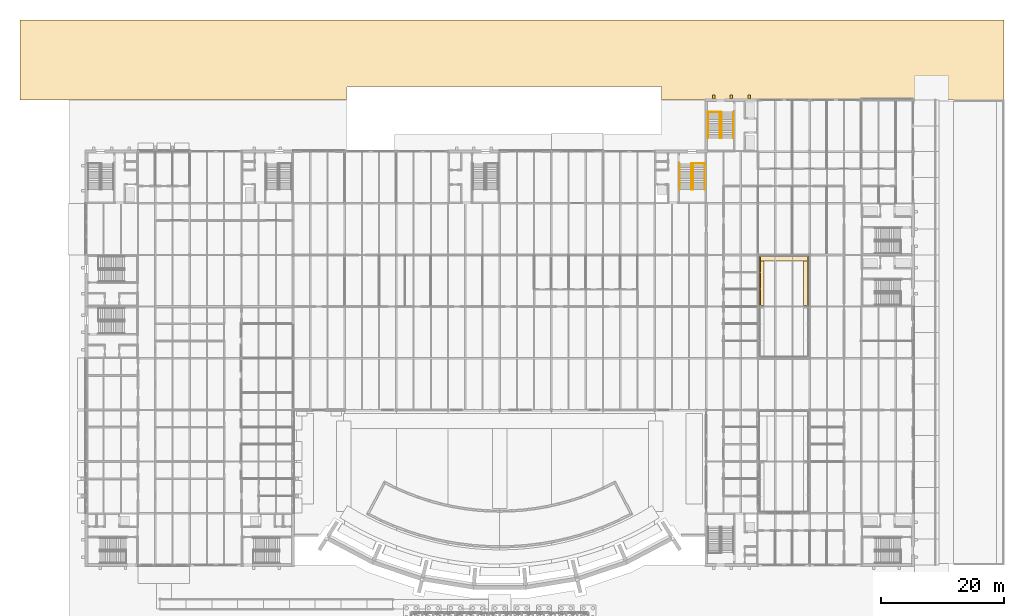
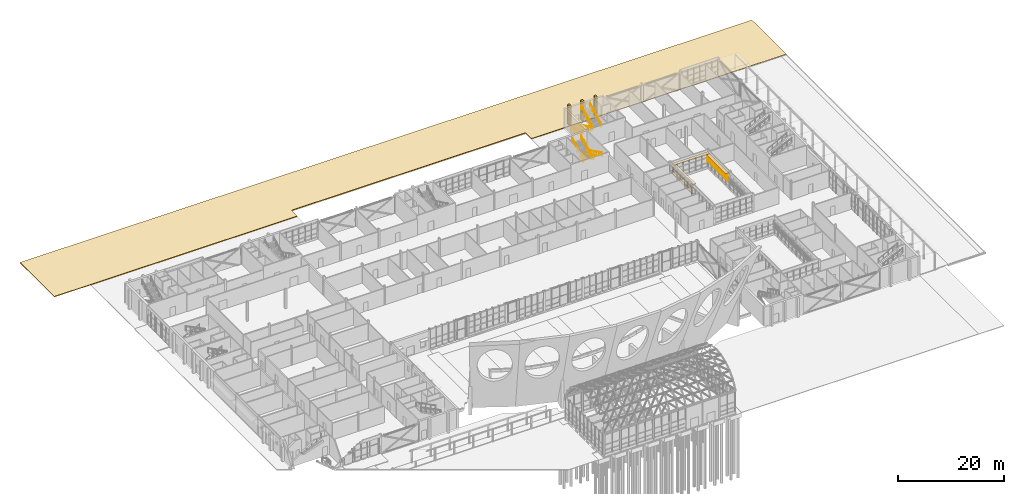
# One storey, part 114 of 116: 13 coverings, 10 railings.
"""IFC4 building model written with IfcOpenShell, lengths in metres."""

import ifcopenshell
import ifcopenshell.guid

model = None  # the IFC model being written
_history = None  # IfcOwnerHistory: only IFC2X3 demands one
_inside = {}  # id of a spatial element -> (the spatial element, [elements in it])
_under = {}  # id of a project, library or spatial element -> (it, [spatial elements below it])
_declared = {}  # id of a project -> (the project, [libraries it declares])
_typed = {}  # id of a type object -> (the type object, [elements of that type])
_made_of = {}  # id of a material, layer set ... -> (it, [elements and type objects made of it])


def new_model(schema):
    """Start an empty IFC model of exactly this schema.

    Asked for "IFC4X3", IfcOpenShell would pick the latest addendum, in which some entities
    have other attributes; the version numbers below select the first issue.
    IFC2X3 requires an IfcOwnerHistory on every rooted entity: one is made here for all.
    """
    global model, _history
    if schema == "IFC4X3":
        model = ifcopenshell.file(schema_version=(4, 3, 0, 0))
    else:
        model = ifcopenshell.file(schema=schema)
    _inside.clear()
    _under.clear()
    _declared.clear()
    _typed.clear()
    _made_of.clear()
    _history = None
    if model.schema == "IFC2X3":
        org = make("IfcOrganization", Name="unknown")
        user = make(
            "IfcPersonAndOrganization",
            ThePerson=make("IfcPerson", FamilyName="unknown"),
            TheOrganization=org,
        )
        app = make(
            "IfcApplication",
            ApplicationDeveloper=org,
            Version="unknown",
            ApplicationFullName="unknown",
            ApplicationIdentifier="unknown",
        )
        _history = make(
            "IfcOwnerHistory",
            OwningUser=user,
            OwningApplication=app,
            ChangeAction="ADDED",
            CreationDate=0,
        )
    return model


def make(cls, **values):
    """One entity of the class cls with the attributes given. An attribute that is None is left unset."""
    return model.create_entity(
        cls, **{name: value for name, value in values.items() if value is not None}
    )


def rooted(cls, **values):
    """An entity with a GlobalId (a new one), such as an element, a storey or a relation."""
    return make(cls, GlobalId=ifcopenshell.guid.new(), OwnerHistory=_history, **values)


def si_unit(unit_type, name, prefix=None):
    """IfcSIUnit, for example si_unit("LENGTHUNIT", "METRE", prefix="MILLI")."""
    return make("IfcSIUnit", UnitType=unit_type, Prefix=prefix, Name=name)


def assignment(units):
    """IfcUnitAssignment: the units of a project."""
    return None if units is None else make("IfcUnitAssignment", Units=units)


def point(xyz):
    """IfcCartesianPoint."""
    return None if xyz is None else make("IfcCartesianPoint", Coordinates=xyz)


def direction(xyz):
    """IfcDirection."""
    return None if xyz is None else make("IfcDirection", DirectionRatios=xyz)


def frame(location, z_axis=None, x_axis=None):
    """IfcAxis2Placement3D, a coordinate frame: its origin and axes. An axis left out is left unset."""
    return make(
        "IfcAxis2Placement3D",
        Location=point(location),
        Axis=direction(z_axis),
        RefDirection=direction(x_axis),
    )


def frame_2d(location, x_axis=None):
    """IfcAxis2Placement2D, a coordinate frame in the plane: its origin and x axis."""
    return make(
        "IfcAxis2Placement2D", Location=point(location), RefDirection=direction(x_axis)
    )


def origin():
    """The frame at (0, 0, 0) with its axes left unset."""
    return frame((0.0, 0.0, 0.0))


def origin_2d():
    """The frame at (0, 0) in the plane with its x axis left unset."""
    return frame_2d((0.0, 0.0))


def place(relative_to, where):
    """IfcLocalPlacement: puts the frame where relative to a parent placement (None: the world)."""
    return make(
        "IfcLocalPlacement", PlacementRelTo=relative_to, RelativePlacement=where
    )


def context(
    kind, dimensions, precision=None, world=None, true_north=None, identifier=None
):
    """IfcGeometricRepresentationContext, for example the 3D "Model" context."""
    return make(
        "IfcGeometricRepresentationContext",
        ContextIdentifier=identifier,
        ContextType=kind,
        CoordinateSpaceDimension=dimensions,
        Precision=precision,
        WorldCoordinateSystem=world,
        TrueNorth=true_north,
    )


def subcontext(parent, identifier, kind, view, scale=None):
    """IfcGeometricRepresentationSubContext, for example "Body" below "Model"."""
    return make(
        "IfcGeometricRepresentationSubContext",
        ContextIdentifier=identifier,
        ContextType=kind,
        ParentContext=parent,
        TargetScale=scale,
        TargetView=view,
    )


def project(units=None, contexts=None):
    """IfcProject with its units and contexts."""
    return rooted(
        "IfcProject",
        Name="project",
        RepresentationContexts=contexts,
        UnitsInContext=assignment(units),
    )


def spatial(cls, under=None, at=None, **own):
    """A site, building, storey or space (cls), placed at a placement, below another one or the project."""
    s = rooted(cls, ObjectPlacement=at, **own)
    if under is not None:
        _under.setdefault(under.id(), (under, []))[1].append(s)
    return s


def polyline(points):
    """IfcPolyline through the points."""
    return make("IfcPolyline", Points=[point(p) for p in points])


def profile(cls, at=None, kind="AREA", **sizes):
    """A parametric profile (cls). Its sizes go by their IFC names, for example OverallWidth=200.0."""
    return make(cls, ProfileType=kind, Position=at, **sizes)


def rectangle(**sizes):
    """IfcRectangleProfileDef."""
    return profile("IfcRectangleProfileDef", **sizes)


def circle(**sizes):
    """IfcCircleProfileDef."""
    return profile("IfcCircleProfileDef", **sizes)


def outline(outer, holes=None, kind="AREA"):
    """IfcArbitraryClosedProfileDef: a profile drawn as a closed curve; with holes, ...WithVoids."""
    if holes is None:
        return make("IfcArbitraryClosedProfileDef", ProfileType=kind, OuterCurve=outer)
    return make(
        "IfcArbitraryProfileDefWithVoids",
        ProfileType=kind,
        OuterCurve=outer,
        InnerCurves=holes,
    )


def extrude(swept, where, along, depth):
    """IfcExtrudedAreaSolid: the profile swept, set in the frame where, extruded along a direction by depth."""
    return make(
        "IfcExtrudedAreaSolid",
        SweptArea=swept,
        Position=where,
        ExtrudedDirection=direction(along),
        Depth=depth,
    )


def shape(context_of_items, identifier, shape_type, items):
    """IfcShapeRepresentation: the items that make up one representation, for example the "Body"."""
    return make(
        "IfcShapeRepresentation",
        ContextOfItems=context_of_items,
        RepresentationIdentifier=identifier,
        RepresentationType=shape_type,
        Items=items,
    )


def material(Name=None, Category=None):
    """IfcMaterial."""
    return make("IfcMaterial", Name=Name, Category=Category)


def layer(
    of_material, thickness, ventilated=None, Name=None, Category=None, Priority=None
):
    """IfcMaterialLayer: one layer of a wall or slab, of a material (None: an air gap)."""
    return make(
        "IfcMaterialLayer",
        Material=of_material,
        LayerThickness=thickness,
        IsVentilated=ventilated,
        Name=Name,
        Category=Category,
        Priority=Priority,
    )


def layer_set(layers, Name=None):
    """IfcMaterialLayerSet."""
    return make("IfcMaterialLayerSet", MaterialLayers=layers, LayerSetName=Name)


def material_profile(
    of_material, cross_section, Name=None, Category=None, Priority=None
):
    """IfcMaterialProfile: a cross section and its material."""
    return make(
        "IfcMaterialProfile",
        Name=Name,
        Material=of_material,
        Profile=cross_section,
        Priority=Priority,
        Category=Category,
    )


def profile_set(profiles, Name=None, composite=None):
    """IfcMaterialProfileSet."""
    return make(
        "IfcMaterialProfileSet",
        Name=Name,
        MaterialProfiles=profiles,
        CompositeProfile=composite,
    )


def made_of(thing, what):
    """Note that an element or type object is made of a material, layer set ...; save() writes the relation."""
    if what is not None:
        _made_of.setdefault(what.id(), (what, []))[1].append(thing)
    return thing


def type_object(cls, material=None, **own):
    """A type object (cls), such as IfcWallType, which elements share."""
    return made_of(rooted(cls, **own), material)


def element(
    cls,
    number,
    at=None,
    inside=None,
    cuts=None,
    type_object=None,
    material=None,
    context=None,
    identifier="Body",
    shape_type=None,
    held_by="IfcProductDefinitionShape",
    body=None,
    shapes=None,
    **own,
):
    """One element of the class cls, such as IfcWall. Its Tag is "e" and its number.

    at: its placement. inside: the storey or other place that contains it. cuts: it is an
    opening in that element (IfcRelVoidsElement). A single representation is given by context,
    identifier, shape_type and body (its items); several are given by shapes. held_by: the class
    of the entity that holds the representations. save() writes the other relations.
    """
    e = rooted(cls, Tag="e%d" % number, ObjectPlacement=at, **own)
    if body is not None:
        shapes = [shape(context, identifier, shape_type, body)]
    if shapes is not None:
        e.Representation = make(held_by, Representations=shapes)
    if inside is not None:
        _inside.setdefault(inside.id(), (inside, []))[1].append(e)
    if cuts is not None:
        rooted(
            "IfcRelVoidsElement", RelatingBuildingElement=cuts, RelatedOpeningElement=e
        )
    if type_object is not None:
        _typed.setdefault(type_object.id(), (type_object, []))[1].append(e)
    return made_of(e, material)


def aggregate(whole, parts):
    """IfcRelAggregates: a whole, such as a stair, and the parts it consists of."""
    return rooted("IfcRelAggregates", RelatingObject=whole, RelatedObjects=parts)


def save(model, path):
    """Write the relations noted so far, then the file.

    IfcRelAggregates (storeys below a building ...), IfcRelContainedInSpatialStructure (elements
    in a storey), IfcRelDefinesByType, IfcRelAssociatesMaterial and IfcRelDeclares: one each for
    every whole, place, type object, material and project.
    """
    for whole, parts in _under.values():
        aggregate(whole, parts)
    for where, things in _inside.values():
        rooted(
            "IfcRelContainedInSpatialStructure",
            RelatedElements=things,
            RelatingStructure=where,
        )
    for kind, things in _typed.values():
        rooted("IfcRelDefinesByType", RelatedObjects=things, RelatingType=kind)
    for what, things in _made_of.values():
        rooted("IfcRelAssociatesMaterial", RelatedObjects=things, RelatingMaterial=what)
    for by, libraries in _declared.values():
        rooted("IfcRelDeclares", RelatingContext=by, RelatedDefinitions=libraries)
    model.write(path)


model = new_model("IFC4")

# Units and contexts
model_context = context("Model", 3, precision=1e-05, world=origin(), true_north=direction((0.0, 1.0)))
body_context = subcontext(model_context, "Body", "Model", "MODEL_VIEW")
ifc_project = project(units=[si_unit("LENGTHUNIT", "METRE"), si_unit("AREAUNIT", "SQUARE_METRE"), si_unit("VOLUMEUNIT", "CUBIC_METRE"), si_unit("PLANEANGLEUNIT", "RADIAN"), si_unit("MASSUNIT", "GRAM", prefix="KILO")], contexts=[model_context])

# Site, building, storey
site_placement = place(None, origin())
site = spatial("IfcSite", under=ifc_project, at=site_placement, CompositionType="ELEMENT")
building_placement = place(site_placement, origin())
building = spatial("IfcBuilding", under=site, at=building_placement, Name="Ardhachandra Cancer Care Centre", CompositionType="ELEMENT")
storey_placement = place(building_placement, origin())
storey = spatial("IfcBuildingStorey", under=building, at=storey_placement, Name="L00", CompositionType="ELEMENT", Elevation=0.0)

# Covering
ifc_material_1 = material(Name="Asphalt on compacted sub-base")
ifc_layer_1 = layer(ifc_material_1, 0.14990234375)
ifc_layer_set_1 = layer_set([ifc_layer_1], Name="Asphalt on compacted sub-base")
covering_type_1 = type_object("IfcCoveringType", Name="Asphalt carriageway 150", PredefinedType="USERDEFINED", material=ifc_layer_set_1)
covering_1_placement = place(storey_placement, frame((0.0, 0.0, -0.14990234375)))
element("IfcCovering", 1, at=covering_1_placement, inside=storey, type_object=covering_type_1, Name="Service yard paving 1", ObjectType="ROADWAY", PredefinedType="USERDEFINED", context=body_context, shape_type="SweptSolid", body=[
    extrude(outline(polyline([(0.0, 105.0), (0.0, 118.0), (160.0, 118.0), (160.0, 105.0), (104.300048828125, 105.0), (104.300048828125, 107.199951171875), (60.60009765625, 107.199951171875), (60.60009765625, 107.199951171875), (53.39990234375, 107.199951171875), (53.37060546875, 107.198486328125), (53.341552734375, 107.1943359375), (53.31298828125, 107.18701171875), (53.28515625, 107.17724609375), (53.258544921875, 107.16455078125), (53.2333984375, 107.1494140625), (53.209716796875, 107.1318359375), (53.18798828125, 107.112060546875), (53.168212890625, 107.09033203125), (53.150634765625, 107.066650390625), (53.135498046875, 107.04150390625), (53.122802734375, 107.014892578125), (53.113037109375, 106.987060546875), (53.105712890625, 106.95849609375), (53.1015625, 106.929443359375), (53.10009765625, 106.89990234375), (53.10009765625, 105.0), (0.0, 105.0)])), origin(), (0.0, 0.0, 1.0), 0.14990234375),
])

# Railings
ifc_material_2 = material(Name="Steel E250 (IS 2062)", Category="steel")
railing_type_1 = type_object("IfcRailingType", Name="Guard 1100", PredefinedType="GUARDRAIL", material=ifc_material_2)
railing_1_placement = place(storey_placement, frame((111.3701171875, 94.659912109375, 0.0)))
element("IfcRailing", 2, at=railing_1_placement, inside=storey, type_object=railing_type_1, Name="Stair well guard K7 L00", PredefinedType="GUARDRAIL", context=body_context, shape_type="SweptSolid", body=[
    extrude(circle(Radius=0.02392578125, at=origin_2d()), frame((0.0, 0.0, 1.076171875), z_axis=(-1.0, 0.0, 0.0), x_axis=(0.0, -1.0, 0.0)), (0.0, 0.0, 1.0), 2.170166015625),
    extrude(circle(Radius=0.02099609375, at=origin_2d()), origin(), (0.0, 0.0, 1.0), 1.052001953125),
    extrude(circle(Radius=0.02099609375, at=origin_2d()), frame((-0.723388671875, 0.0, 0.0)), (0.0, 0.0, 1.0), 1.052001953125),
    extrude(circle(Radius=0.02099609375, at=origin_2d()), frame((-1.44677734375, 0.0, 0.0)), (0.0, 0.0, 1.0), 1.052001953125),
    extrude(circle(Radius=0.02099609375, at=origin_2d()), frame((-2.170166015625, 0.0, 0.0)), (0.0, 0.0, 1.0), 1.052001953125),
])
railing_2_placement = place(storey_placement, frame((111.85498046875, 103.06005859375, 0.0)))
element("IfcRailing", 3, at=railing_2_placement, inside=storey, type_object=railing_type_1, Name="Stair well guard K12 L00", PredefinedType="GUARDRAIL", context=body_context, shape_type="SweptSolid", body=[
    extrude(circle(Radius=0.02392578125, at=origin_2d()), frame((0.0, 0.0, 1.076171875), z_axis=(1.0, 0.0, 0.0), x_axis=(0.0, 1.0, 0.0)), (0.0, 0.0, 1.0), 2.169921875),
    extrude(circle(Radius=0.02099609375, at=origin_2d()), origin(), (0.0, 0.0, 1.0), 1.052001953125),
    extrude(circle(Radius=0.02099609375, at=origin_2d()), frame((0.723388671875, 0.0, 0.0)), (0.0, 0.0, 1.0), 1.052001953125),
    extrude(circle(Radius=0.02099609375, at=origin_2d()), frame((1.446533203125, 0.0, 0.0)), (0.0, 0.0, 1.0), 1.052001953125),
    extrude(circle(Radius=0.02099609375, at=origin_2d()), frame((2.169921875, 0.0, 0.0)), (0.0, 0.0, 1.0), 1.052001953125),
])

# Coverings
ifc_material_3 = material(Name="Anodised aluminium extrusion", Category="aluminium")
ifc_material_profile = material_profile(ifc_material_3, rectangle(XDim=0.199951171875, YDim=0.02001953125, at=origin_2d()), Name="Louvre blade 200 x 20")
ifc_profile_set = profile_set([ifc_material_profile], Name="Anodised aluminium extrusion")
covering_type_2 = type_object("IfcCoveringType", Name="Louvre blade 200 x 20", PredefinedType="CLADDING", material=ifc_profile_set)
for number, where, z_axis, x_axis, name in (
    (4, (120.2548828125, 71.580078125, 1.949951171875), (0.0, 1.0, 0.0), (-0.819152044289, 0.0, -0.573576436351), "Louvre blade over curtain wall L00/e/0120000_0071400 1"),
    (5, (120.2548828125, 71.580078125, 2.550048828125), (0.0, 1.0, 0.0), (-0.819152044289, 0.0, -0.573576436351), "Louvre blade over curtain wall L00/e/0120000_0071400 2"),
    (6, (120.2548828125, 71.580078125, 3.14990234375), (0.0, 1.0, 0.0), (-0.819152044289, 0.0, -0.573576436351), "Louvre blade over curtain wall L00/e/0120000_0071400 3"),
    (7, (128.14501953125, 71.580078125, 1.949951171875), (0.0, 1.0, 0.0), (-0.819152044289, 0.0, 0.573576436351), "Louvre blade over curtain wall L00/w/0128400_0071400 1"),
    (8, (128.14501953125, 71.580078125, 2.550048828125), (0.0, 1.0, 0.0), (-0.819152044289, 0.0, 0.573576436351), "Louvre blade over curtain wall L00/w/0128400_0071400 2"),
    (9, (128.14501953125, 71.580078125, 3.14990234375), (0.0, 1.0, 0.0), (-0.819152044289, 0.0, 0.573576436351), "Louvre blade over curtain wall L00/w/0128400_0071400 3"),
):
    element("IfcCovering", number, at=place(storey_placement, frame(where, z_axis=z_axis, x_axis=x_axis)), inside=storey, type_object=covering_type_2, Name=name, PredefinedType="CLADDING", context=body_context, shape_type="SweptSolid", body=[
        extrude(rectangle(XDim=0.199951171875, YDim=0.02001953125, at=origin_2d()), origin(), (0.0, 0.0, 1.0), 8.0),
    ])
ifc_material_4 = material(Name="Precast Concrete M25", Category="concrete")
ifc_layer_2 = layer(ifc_material_4, 0.1201171875)
ifc_layer_set_2 = layer_set([ifc_layer_2], Name="Precast Concrete M25")
covering_type_3 = type_object("IfcCoveringType", Name="Precast chajja 750 x 120", PredefinedType="USERDEFINED", material=ifc_layer_set_2)
covering_2_placement = place(storey_placement, frame((120.60009765625, 75.580078125, 3.89990234375), z_axis=(0.0, 0.0, 1.0), x_axis=(0.0, 1.0, 0.0)))
element("IfcCovering", 10, at=covering_2_placement, inside=storey, type_object=covering_type_3, Name="Chajja over curtain wall L00/e/0120000_0071400", ObjectType="CHAJJA", PredefinedType="USERDEFINED", context=body_context, shape_type="SweptSolid", body=[
    extrude(rectangle(XDim=7.9599609375, YDim=0.75, at=origin_2d()), origin(), (0.0, 0.0, 1.0), 0.1201171875),
])
covering_3_placement = place(storey_placement, frame((124.199951171875, 79.199951171875, 3.949951171875), z_axis=(0.0, 0.0, 1.0), x_axis=(1.0, 0.0, 0.0)))
element("IfcCovering", 11, at=covering_3_placement, inside=storey, type_object=covering_type_3, Name="Chajja over curtain wall L00/s/0120000_0079800", ObjectType="CHAJJA", PredefinedType="USERDEFINED", context=body_context, shape_type="SweptSolid", body=[
    extrude(rectangle(XDim=7.905029296875, YDim=0.75, at=origin_2d()), origin(), (0.0, 0.0, 1.0), 0.1201171875),
])
covering_4_placement = place(storey_placement, frame((127.800048828125, 75.580078125, 3.89990234375), z_axis=(0.0, 0.0, 1.0), x_axis=(0.0, 1.0, 0.0)))
element("IfcCovering", 12, at=covering_4_placement, inside=storey, type_object=covering_type_3, Name="Chajja over curtain wall L00/w/0128400_0071400", ObjectType="CHAJJA", PredefinedType="USERDEFINED", context=body_context, shape_type="SweptSolid", body=[
    extrude(rectangle(XDim=7.9599609375, YDim=0.75, at=origin_2d()), origin(), (0.0, 0.0, 1.0), 0.1201171875),
])
ifc_material_5 = material(Name="Precast Concrete M25", Category="concrete")
ifc_layer_3 = layer(ifc_material_5, 0.39990234375)
ifc_layer_set_3 = layer_set([ifc_layer_3], Name="Precast Concrete M25")
covering_type_4 = type_object("IfcCoveringType", Name="Precast concrete fin 400 x 550", PredefinedType="CLADDING", material=ifc_layer_set_3)
for number, where, z_axis, x_axis, name in (
    (13, (112.8125, 105.5, 0.0), (0.0, 0.0, 1.0), (1.0, 0.0, 0.0), "Fin L00 core K12 1"),
    (14, (115.6875, 105.5, 0.0), (0.0, 0.0, 1.0), (1.0, 0.0, 0.0), "Fin L00 core K12 2"),
    (15, (118.5625, 105.5, 0.0), (0.0, 0.0, 1.0), (1.0, 0.0, 0.0), "Fin L00 core K12 3"),
):
    element("IfcCovering", number, at=place(storey_placement, frame(where, z_axis=z_axis, x_axis=x_axis)), inside=storey, type_object=covering_type_4, Name=name, PredefinedType="CLADDING", context=body_context, shape_type="SweptSolid", body=[
        extrude(rectangle(XDim=0.39990234375, YDim=0.550048828125, at=origin_2d()), origin(), (0.0, 0.0, 1.0), 4.5),
    ])

# Railings
ifc_material_6 = material(Name="Steel E250 (IS 2062)", Category="steel")
railing_type_2 = type_object("IfcRailingType", Name="Stair handrail 900", PredefinedType="HANDRAIL", material=ifc_material_6)
for number, where, name in (
    (16, (111.340087890625, 94.60009765625, 0.14990234375), "Handrail K7 L00-L01 flight 1 wall side"),
    (17, (109.449951171875, 94.60009765625, 0.14990234375), "Handrail K7 L00-L01 flight 1 well side"),
):
    element("IfcRailing", number, at=place(storey_placement, frame(where)), inside=storey, type_object=railing_type_2, Name=name, PredefinedType="HANDRAIL", context=body_context, shape_type="SweptSolid", body=[
        extrude(circle(Radius=0.02392578125, at=origin_2d()), frame((0.0, 0.0, 0.8759765625), z_axis=(0.0, -0.894427191, 0.4472135955), x_axis=(1.0, 0.0, 0.0)), (0.0, 0.0, 1.0), 4.696044921875),
        extrude(circle(Radius=0.02099609375, at=origin_2d()), origin(), (0.0, 0.0, 1.0), 0.851806640625),
        extrude(circle(Radius=0.02099609375, at=origin_2d()), frame((0.0, -1.050048828125, 0.52490234375)), (0.0, 0.0, 1.0), 0.851806640625),
        extrude(circle(Radius=0.02099609375, at=origin_2d()), frame((0.0, -2.10009765625, 1.050048828125)), (0.0, 0.0, 1.0), 0.851806640625),
        extrude(circle(Radius=0.02099609375, at=origin_2d()), frame((0.0, -3.150146484375, 1.5751953125)), (0.0, 0.0, 1.0), 0.851806640625),
        extrude(circle(Radius=0.02099609375, at=origin_2d()), frame((0.0, -4.2001953125, 2.10009765625)), (0.0, 0.0, 1.0), 0.851806640625),
    ])
for number, where, name in (
    (18, (109.14990234375, 90.39990234375, 2.39990234375), "Handrail K7 L00-L01 flight 2 well side"),
    (19, (107.260009765625, 90.39990234375, 2.39990234375), "Handrail K7 L00-L01 flight 2 wall side"),
):
    element("IfcRailing", number, at=place(storey_placement, frame(where)), inside=storey, type_object=railing_type_2, Name=name, PredefinedType="HANDRAIL", context=body_context, shape_type="SweptSolid", body=[
        extrude(circle(Radius=0.02392578125, at=origin_2d()), frame((0.0, 0.0, 0.8759765625), z_axis=(0.0, 0.894427191, 0.4472135955), x_axis=(-1.0, 0.0, 0.0)), (0.0, 0.0, 1.0), 4.696044921875),
        extrude(circle(Radius=0.02099609375, at=origin_2d()), origin(), (0.0, 0.0, 1.0), 0.851806640625),
        extrude(circle(Radius=0.02099609375, at=origin_2d()), frame((0.0, 1.050048828125, 0.52490234375)), (0.0, 0.0, 1.0), 0.851806640625),
        extrude(circle(Radius=0.02099609375, at=origin_2d()), frame((0.0, 2.10009765625, 1.050048828125)), (0.0, 0.0, 1.0), 0.851806640625),
        extrude(circle(Radius=0.02099609375, at=origin_2d()), frame((0.0, 3.150146484375, 1.5751953125)), (0.0, 0.0, 1.0), 0.851806640625),
        extrude(circle(Radius=0.02099609375, at=origin_2d()), frame((0.0, 4.2001953125, 2.10009765625)), (0.0, 0.0, 1.0), 0.851806640625),
    ])
for number, where, name in (
    (20, (111.885009765625, 103.0, 0.14990234375), "Handrail K12 L00-L01 flight 1 wall side"),
    (21, (113.77490234375, 103.0, 0.14990234375), "Handrail K12 L00-L01 flight 1 well side"),
):
    element("IfcRailing", number, at=place(storey_placement, frame(where)), inside=storey, type_object=railing_type_2, Name=name, PredefinedType="HANDRAIL", context=body_context, shape_type="SweptSolid", body=[
        extrude(circle(Radius=0.02392578125, at=origin_2d()), frame((0.0, 0.0, 0.8759765625), z_axis=(0.0, -0.894416792377, 0.447234392142), x_axis=(1.0, 0.0, 0.0)), (0.0, 0.0, 1.0), 4.69580078125),
        extrude(circle(Radius=0.02099609375, at=origin_2d()), origin(), (0.0, 0.0, 1.0), 0.851806640625),
        extrude(circle(Radius=0.02099609375, at=origin_2d()), frame((0.0, -1.050048828125, 0.52490234375)), (0.0, 0.0, 1.0), 0.851806640625),
        extrude(circle(Radius=0.02099609375, at=origin_2d()), frame((0.0, -2.10009765625, 1.050048828125)), (0.0, 0.0, 1.0), 0.851806640625),
        extrude(circle(Radius=0.02099609375, at=origin_2d()), frame((0.0, -3.14990234375, 1.5751953125)), (0.0, 0.0, 1.0), 0.851806640625),
        extrude(circle(Radius=0.02099609375, at=origin_2d()), frame((0.0, -4.199951171875, 2.10009765625)), (0.0, 0.0, 1.0), 0.851806640625),
    ])
for number, where, name in (
    (22, (114.074951171875, 98.800048828125, 2.39990234375), "Handrail K12 L00-L01 flight 2 well side"),
    (23, (115.965087890625, 98.800048828125, 2.39990234375), "Handrail K12 L00-L01 flight 2 wall side"),
):
    element("IfcRailing", number, at=place(storey_placement, frame(where)), inside=storey, type_object=railing_type_2, Name=name, PredefinedType="HANDRAIL", context=body_context, shape_type="SweptSolid", body=[
        extrude(circle(Radius=0.02392578125, at=origin_2d()), frame((0.0, 0.0, 0.8759765625), z_axis=(0.0, 0.894416792377, 0.447234392142), x_axis=(-1.0, 0.0, 0.0)), (0.0, 0.0, 1.0), 4.69580078125),
        extrude(circle(Radius=0.02099609375, at=origin_2d()), origin(), (0.0, 0.0, 1.0), 0.851806640625),
        extrude(circle(Radius=0.02099609375, at=origin_2d()), frame((0.0, 1.050048828125, 0.52490234375)), (0.0, 0.0, 1.0), 0.851806640625),
        extrude(circle(Radius=0.02099609375, at=origin_2d()), frame((0.0, 2.10009765625, 1.050048828125)), (0.0, 0.0, 1.0), 0.851806640625),
        extrude(circle(Radius=0.02099609375, at=origin_2d()), frame((0.0, 3.14990234375, 1.5751953125)), (0.0, 0.0, 1.0), 0.851806640625),
        extrude(circle(Radius=0.02099609375, at=origin_2d()), frame((0.0, 4.199951171875, 2.10009765625)), (0.0, 0.0, 1.0), 0.851806640625),
    ])

save(model, "model.ifc")
